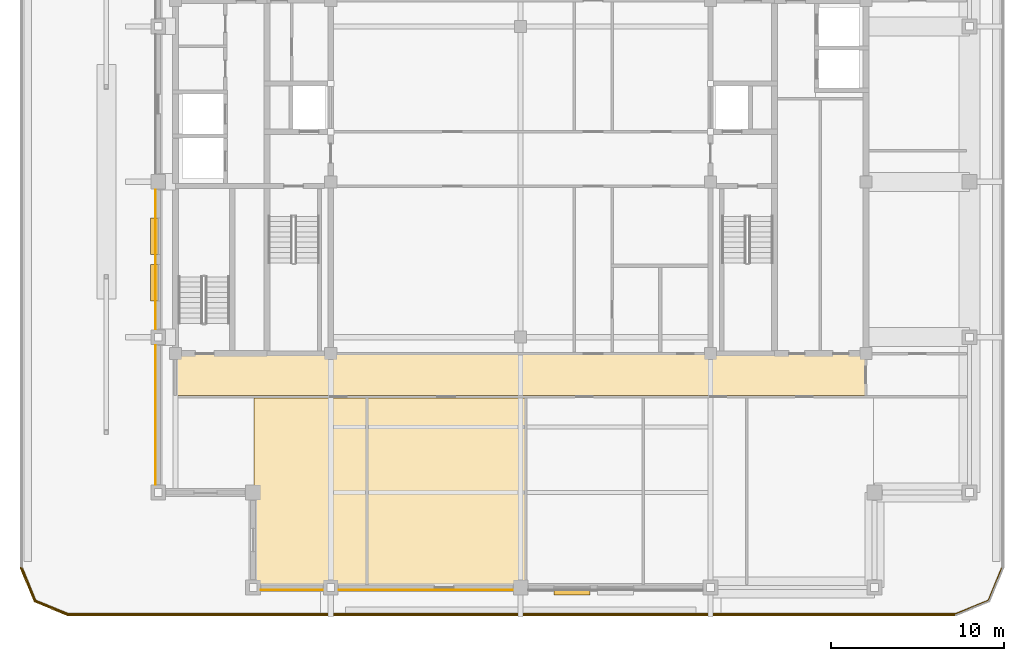
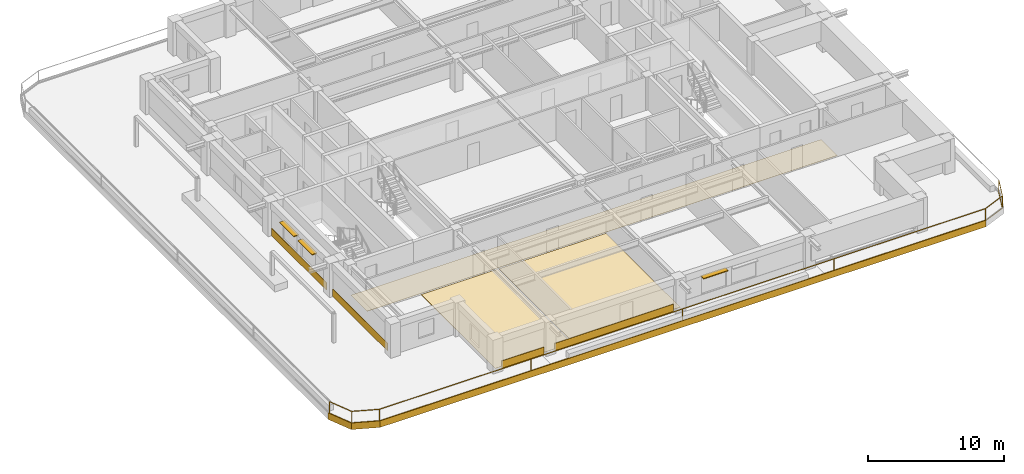
# One storey, part 10 of 14: 10 coverings, 3 shading devices, 1 railing.
"""IFC4 building model written with IfcOpenShell, lengths in metres."""

import ifcopenshell
import ifcopenshell.guid

model = None  # the IFC model being written
_history = None  # IfcOwnerHistory: only IFC2X3 demands one
_inside = {}  # id of a spatial element -> (the spatial element, [elements in it])
_under = {}  # id of a project, library or spatial element -> (it, [spatial elements below it])
_declared = {}  # id of a project -> (the project, [libraries it declares])
_typed = {}  # id of a type object -> (the type object, [elements of that type])
_made_of = {}  # id of a material, layer set ... -> (it, [elements and type objects made of it])


def new_model(schema):
    """Start an empty IFC model of exactly this schema.

    Asked for "IFC4X3", IfcOpenShell would pick the latest addendum, in which some entities
    have other attributes; the version numbers below select the first issue.
    IFC2X3 requires an IfcOwnerHistory on every rooted entity: one is made here for all.
    """
    global model, _history
    if schema == "IFC4X3":
        model = ifcopenshell.file(schema_version=(4, 3, 0, 0))
    else:
        model = ifcopenshell.file(schema=schema)
    _inside.clear()
    _under.clear()
    _declared.clear()
    _typed.clear()
    _made_of.clear()
    _history = None
    if model.schema == "IFC2X3":
        org = make("IfcOrganization", Name="unknown")
        user = make(
            "IfcPersonAndOrganization",
            ThePerson=make("IfcPerson", FamilyName="unknown"),
            TheOrganization=org,
        )
        app = make(
            "IfcApplication",
            ApplicationDeveloper=org,
            Version="unknown",
            ApplicationFullName="unknown",
            ApplicationIdentifier="unknown",
        )
        _history = make(
            "IfcOwnerHistory",
            OwningUser=user,
            OwningApplication=app,
            ChangeAction="ADDED",
            CreationDate=0,
        )
    return model


def make(cls, **values):
    """One entity of the class cls with the attributes given. An attribute that is None is left unset."""
    return model.create_entity(
        cls, **{name: value for name, value in values.items() if value is not None}
    )


def rooted(cls, **values):
    """An entity with a GlobalId (a new one), such as an element, a storey or a relation."""
    return make(cls, GlobalId=ifcopenshell.guid.new(), OwnerHistory=_history, **values)


def si_unit(unit_type, name, prefix=None):
    """IfcSIUnit, for example si_unit("LENGTHUNIT", "METRE", prefix="MILLI")."""
    return make("IfcSIUnit", UnitType=unit_type, Prefix=prefix, Name=name)


def assignment(units):
    """IfcUnitAssignment: the units of a project."""
    return None if units is None else make("IfcUnitAssignment", Units=units)


def point(xyz):
    """IfcCartesianPoint."""
    return None if xyz is None else make("IfcCartesianPoint", Coordinates=xyz)


def direction(xyz):
    """IfcDirection."""
    return None if xyz is None else make("IfcDirection", DirectionRatios=xyz)


def frame(location, z_axis=None, x_axis=None):
    """IfcAxis2Placement3D, a coordinate frame: its origin and axes. An axis left out is left unset."""
    return make(
        "IfcAxis2Placement3D",
        Location=point(location),
        Axis=direction(z_axis),
        RefDirection=direction(x_axis),
    )


def frame_2d(location, x_axis=None):
    """IfcAxis2Placement2D, a coordinate frame in the plane: its origin and x axis."""
    return make(
        "IfcAxis2Placement2D", Location=point(location), RefDirection=direction(x_axis)
    )


def origin():
    """The frame at (0, 0, 0) with its axes left unset."""
    return frame((0.0, 0.0, 0.0))


def origin_2d():
    """The frame at (0, 0) in the plane with its x axis left unset."""
    return frame_2d((0.0, 0.0))


def place(relative_to, where):
    """IfcLocalPlacement: puts the frame where relative to a parent placement (None: the world)."""
    return make(
        "IfcLocalPlacement", PlacementRelTo=relative_to, RelativePlacement=where
    )


def context(
    kind, dimensions, precision=None, world=None, true_north=None, identifier=None
):
    """IfcGeometricRepresentationContext, for example the 3D "Model" context."""
    return make(
        "IfcGeometricRepresentationContext",
        ContextIdentifier=identifier,
        ContextType=kind,
        CoordinateSpaceDimension=dimensions,
        Precision=precision,
        WorldCoordinateSystem=world,
        TrueNorth=true_north,
    )


def subcontext(parent, identifier, kind, view, scale=None):
    """IfcGeometricRepresentationSubContext, for example "Body" below "Model"."""
    return make(
        "IfcGeometricRepresentationSubContext",
        ContextIdentifier=identifier,
        ContextType=kind,
        ParentContext=parent,
        TargetScale=scale,
        TargetView=view,
    )


def project(units=None, contexts=None):
    """IfcProject with its units and contexts."""
    return rooted(
        "IfcProject",
        Name="project",
        RepresentationContexts=contexts,
        UnitsInContext=assignment(units),
    )


def spatial(cls, under=None, at=None, **own):
    """A site, building, storey or space (cls), placed at a placement, below another one or the project."""
    s = rooted(cls, ObjectPlacement=at, **own)
    if under is not None:
        _under.setdefault(under.id(), (under, []))[1].append(s)
    return s


def polyline(points):
    """IfcPolyline through the points."""
    return make("IfcPolyline", Points=[point(p) for p in points])


def profile(cls, at=None, kind="AREA", **sizes):
    """A parametric profile (cls). Its sizes go by their IFC names, for example OverallWidth=200.0."""
    return make(cls, ProfileType=kind, Position=at, **sizes)


def rectangle(**sizes):
    """IfcRectangleProfileDef."""
    return profile("IfcRectangleProfileDef", **sizes)


def outline(outer, holes=None, kind="AREA"):
    """IfcArbitraryClosedProfileDef: a profile drawn as a closed curve; with holes, ...WithVoids."""
    if holes is None:
        return make("IfcArbitraryClosedProfileDef", ProfileType=kind, OuterCurve=outer)
    return make(
        "IfcArbitraryProfileDefWithVoids",
        ProfileType=kind,
        OuterCurve=outer,
        InnerCurves=holes,
    )


def extrude(swept, where, along, depth):
    """IfcExtrudedAreaSolid: the profile swept, set in the frame where, extruded along a direction by depth."""
    return make(
        "IfcExtrudedAreaSolid",
        SweptArea=swept,
        Position=where,
        ExtrudedDirection=direction(along),
        Depth=depth,
    )


def shape(context_of_items, identifier, shape_type, items):
    """IfcShapeRepresentation: the items that make up one representation, for example the "Body"."""
    return make(
        "IfcShapeRepresentation",
        ContextOfItems=context_of_items,
        RepresentationIdentifier=identifier,
        RepresentationType=shape_type,
        Items=items,
    )


def material(Name=None, Category=None):
    """IfcMaterial."""
    return make("IfcMaterial", Name=Name, Category=Category)


def layer(
    of_material, thickness, ventilated=None, Name=None, Category=None, Priority=None
):
    """IfcMaterialLayer: one layer of a wall or slab, of a material (None: an air gap)."""
    return make(
        "IfcMaterialLayer",
        Material=of_material,
        LayerThickness=thickness,
        IsVentilated=ventilated,
        Name=Name,
        Category=Category,
        Priority=Priority,
    )


def layer_set(layers, Name=None):
    """IfcMaterialLayerSet."""
    return make("IfcMaterialLayerSet", MaterialLayers=layers, LayerSetName=Name)


def made_of(thing, what):
    """Note that an element or type object is made of a material, layer set ...; save() writes the relation."""
    if what is not None:
        _made_of.setdefault(what.id(), (what, []))[1].append(thing)
    return thing


def type_object(cls, material=None, **own):
    """A type object (cls), such as IfcWallType, which elements share."""
    return made_of(rooted(cls, **own), material)


def element(
    cls,
    number,
    at=None,
    inside=None,
    cuts=None,
    type_object=None,
    material=None,
    context=None,
    identifier="Body",
    shape_type=None,
    held_by="IfcProductDefinitionShape",
    body=None,
    shapes=None,
    **own,
):
    """One element of the class cls, such as IfcWall. Its Tag is "e" and its number.

    at: its placement. inside: the storey or other place that contains it. cuts: it is an
    opening in that element (IfcRelVoidsElement). A single representation is given by context,
    identifier, shape_type and body (its items); several are given by shapes. held_by: the class
    of the entity that holds the representations. save() writes the other relations.
    """
    e = rooted(cls, Tag="e%d" % number, ObjectPlacement=at, **own)
    if body is not None:
        shapes = [shape(context, identifier, shape_type, body)]
    if shapes is not None:
        e.Representation = make(held_by, Representations=shapes)
    if inside is not None:
        _inside.setdefault(inside.id(), (inside, []))[1].append(e)
    if cuts is not None:
        rooted(
            "IfcRelVoidsElement", RelatingBuildingElement=cuts, RelatedOpeningElement=e
        )
    if type_object is not None:
        _typed.setdefault(type_object.id(), (type_object, []))[1].append(e)
    return made_of(e, material)


def aggregate(whole, parts):
    """IfcRelAggregates: a whole, such as a stair, and the parts it consists of."""
    return rooted("IfcRelAggregates", RelatingObject=whole, RelatedObjects=parts)


def save(model, path):
    """Write the relations noted so far, then the file.

    IfcRelAggregates (storeys below a building ...), IfcRelContainedInSpatialStructure (elements
    in a storey), IfcRelDefinesByType, IfcRelAssociatesMaterial and IfcRelDeclares: one each for
    every whole, place, type object, material and project.
    """
    for whole, parts in _under.values():
        aggregate(whole, parts)
    for where, things in _inside.values():
        rooted(
            "IfcRelContainedInSpatialStructure",
            RelatedElements=things,
            RelatingStructure=where,
        )
    for kind, things in _typed.values():
        rooted("IfcRelDefinesByType", RelatedObjects=things, RelatingType=kind)
    for what, things in _made_of.values():
        rooted("IfcRelAssociatesMaterial", RelatedObjects=things, RelatingMaterial=what)
    for by, libraries in _declared.values():
        rooted("IfcRelDeclares", RelatingContext=by, RelatedDefinitions=libraries)
    model.write(path)


model = new_model("IFC4")

# Units and contexts
model_context = context("Model", 3, precision=1e-05, world=origin(), true_north=direction((0.0, 1.0)))
body_context = subcontext(model_context, "Body", "Model", "MODEL_VIEW")
ifc_project = project(units=[si_unit("LENGTHUNIT", "METRE"), si_unit("AREAUNIT", "SQUARE_METRE"), si_unit("VOLUMEUNIT", "CUBIC_METRE"), si_unit("PLANEANGLEUNIT", "RADIAN"), si_unit("MASSUNIT", "GRAM", prefix="KILO")], contexts=[model_context])

# Site, building, storey
site_placement = place(None, origin())
site = spatial("IfcSite", under=ifc_project, at=site_placement, CompositionType="ELEMENT")
building_placement = place(site_placement, origin())
building = spatial("IfcBuilding", under=site, at=building_placement, Name="Zulmaris Gate Convention Tower", CompositionType="ELEMENT")
storey_placement = place(building_placement, frame((0.0, 0.0, 226.820068359375)))
storey = spatial("IfcBuildingStorey", under=building, at=storey_placement, Name="L59", CompositionType="ELEMENT", Elevation=226.820068359375)

# Coverings
ifc_material_1 = material(Name="Precast concrete C40/50", Category="concrete")
ifc_layer_1 = layer(ifc_material_1, 0.0400390625, Name="Precast concrete C40/50")
ifc_layer_set_1 = layer_set([ifc_layer_1], Name="Precast concrete C40/50")
covering_type_1 = type_object("IfcCoveringType", Name="CLAD-SPANDREL-PRECAST", PredefinedType="CLADDING", material=ifc_layer_set_1)
covering_1_placement = place(storey_placement, frame((-15.044921875, -23.64990234375, 0.0), z_axis=(0.0, 0.0, 1.0), x_axis=(1.0, 0.0, 0.0)))
element("IfcCovering", 1, at=covering_1_placement, inside=storey, type_object=covering_type_1, Name="CLD-L59-S-0_0", PredefinedType="CLADDING", context=body_context, shape_type="SweptSolid", body=[
    extrude(rectangle(XDim=3.58984375, YDim=0.0400390625, at=frame_2d((1.794921875, 0.0))), origin(), (0.0, 0.0, 1.0), 0.679931640625),
])
covering_2_placement = place(storey_placement, frame((-10.544921875, -23.64990234375, 0.0), z_axis=(0.0, 0.0, 1.0), x_axis=(1.0, 0.0, 0.0)))
element("IfcCovering", 2, at=covering_2_placement, inside=storey, type_object=covering_type_1, Name="CLD-L59-S-1_0", PredefinedType="CLADDING", context=body_context, shape_type="SweptSolid", body=[
    extrude(rectangle(XDim=10.08984375, YDim=0.0400390625, at=frame_2d((5.044921875, 0.0))), origin(), (0.0, 0.0, 1.0), 0.679931640625),
])
for number, where, z_axis, x_axis, name in (
    (3, (-21.14990234375, -9.455078125, 0.0), (0.0, 0.0, 1.0), (0.0, -1.0, 0.0), "CLD-L59-W-0_0"),
    (4, (-21.14990234375, -0.455078125, 0.0), (0.0, 0.0, 1.0), (0.0, -1.0, 0.0), "CLD-L59-W-1_0"),
):
    element("IfcCovering", number, at=place(storey_placement, frame(where, z_axis=z_axis, x_axis=x_axis)), inside=storey, type_object=covering_type_1, Name=name, PredefinedType="CLADDING", context=body_context, shape_type="SweptSolid", body=[
        extrude(rectangle(XDim=8.08984375, YDim=0.0400390625, at=frame_2d((4.044921875, 0.0))), origin(), (0.0, 0.0, 1.0), 0.679931640625),
    ])
ifc_material_2 = material(Name="White Glazed Architectural Precast Concrete C40/50", Category="concrete")
ifc_layer_2 = layer(ifc_material_2, 0.080078125, Name="White Glazed Architectural Precast Concrete C40/50")
ifc_layer_set_2 = layer_set([ifc_layer_2], Name="White Glazed Architectural Precast Concrete C40/50")
covering_type_2 = type_object("IfcCoveringType", Name="CLAD-TRAY-FASCIA", PredefinedType="CLADDING", material=ifc_layer_set_2)
covering_3_placement = place(storey_placement, frame((-28.962890625, -22.334716796875, -0.465087890625), z_axis=(0.0, 0.0, 1.0), x_axis=(0.382656984709, -0.923890487046, 0.0)))
element("IfcCovering", 5, at=covering_3_placement, inside=storey, type_object=covering_type_2, Name="FSC-L59-TR-00", PredefinedType="CLADDING", context=body_context, shape_type="SweptSolid", body=[
    extrude(rectangle(XDim=2.14306640625, YDim=0.080078125, at=frame_2d((1.071533203125, 0.0))), origin(), (0.0, 0.0, 1.0), 0.585205078125),
])
covering_4_placement = place(storey_placement, frame((-28.16455078125, -24.29296875, -0.465087890625), z_axis=(0.0, 0.0, 1.0), x_axis=(0.923873803533, -0.382697263049, 0.0)))
element("IfcCovering", 6, at=covering_4_placement, inside=storey, type_object=covering_type_2, Name="FSC-L59-TR-01", PredefinedType="CLADDING", context=body_context, shape_type="SweptSolid", body=[
    extrude(rectangle(XDim=2.142822265625, YDim=0.080078125, at=frame_2d((1.0712890625, 0.0))), origin(), (0.0, 0.0, 1.0), 0.585205078125),
])
covering_5_placement = place(storey_placement, frame((-26.199951171875, -25.110107421875, -0.465087890625), z_axis=(0.0, 0.0, 1.0), x_axis=(1.0, 0.0, 0.0)))
element("IfcCovering", 7, at=covering_5_placement, inside=storey, type_object=covering_type_2, Name="FSC-L59-TR-02", PredefinedType="CLADDING", context=body_context, shape_type="SweptSolid", body=[
    extrude(rectangle(XDim=51.39990234375, YDim=0.080078125, at=frame_2d((25.699951171875, 0.0))), origin(), (0.0, 0.0, 1.0), 0.585205078125),
])
ifc_material_3 = material(Name="Woven Acoustic Wool Carpet Tile")
ifc_layer_3 = layer(ifc_material_3, 0.02001953125, Name="Woven Acoustic Wool Carpet Tile")
ifc_layer_set_3 = layer_set([ifc_layer_3], Name="Woven Acoustic Wool Carpet Tile")
covering_type_3 = type_object("IfcCoveringType", Name="FLR-CARPET-12", PredefinedType="FLOORING", material=ifc_layer_set_3)
covering_6_placement = place(storey_placement, origin())
element("IfcCovering", 8, at=covering_6_placement, inside=storey, type_object=covering_type_3, Name="FLR-L59-R30", PredefinedType="FLOORING", context=body_context, shape_type="SweptSolid", body=[
    extrude(outline(polyline([(-19.93994140625, -12.389892578125), (19.93994140625, -12.389892578125), (19.93994140625, -10.010009765625), (-19.93994140625, -10.010009765625), (-19.93994140625, -12.389892578125)])), origin(), (0.0, 0.0, 1.0), 0.02001953125),
])
covering_7_placement = place(storey_placement, origin())
element("IfcCovering", 9, at=covering_7_placement, inside=storey, type_object=covering_type_3, Name="FLR-L59-R39", PredefinedType="FLOORING", context=body_context, shape_type="SweptSolid", body=[
    extrude(outline(polyline([(-15.43994140625, -23.43994140625), (-8.9599609375, -23.43994140625), (-8.9599609375, -12.510009765625), (-15.43994140625, -12.510009765625), (-15.43994140625, -23.43994140625)])), origin(), (0.0, 0.0, 1.0), 0.02001953125),
])
covering_8_placement = place(storey_placement, origin())
element("IfcCovering", 10, at=covering_8_placement, inside=storey, type_object=covering_type_3, Name="FLR-L59-R40", PredefinedType="FLOORING", context=body_context, shape_type="SweptSolid", body=[
    extrude(outline(polyline([(-8.840087890625, -23.43994140625), (0.239990234375, -23.43994140625), (0.239990234375, -12.510009765625), (-8.840087890625, -12.510009765625), (-8.840087890625, -23.43994140625)])), origin(), (0.0, 0.0, 1.0), 0.02001953125),
])

# Railing
ifc_material_4 = material(Name="Laminated Glass and Stainless Steel", Category="steel")
railing_type = type_object("IfcRailingType", Name="RL-BALC-1150", PredefinedType="BALUSTRADE", material=ifc_material_4)
railing_placement = place(storey_placement, frame((-28.8798828125, -22.35009765625, -0.0400390625)))
element("IfcRailing", 11, at=railing_placement, inside=storey, type_object=railing_type, Name="RL-L59-BALC-S", PredefinedType="BALUSTRADE", context=body_context, shape_type="SweptSolid", body=[
    extrude(rectangle(XDim=0.048095703125, YDim=0.048095703125, at=origin_2d()), frame((0.0, 0.0, 1.1259765625), z_axis=(0.382670664694, -0.92388482095, 0.0), x_axis=(0.92388482095, 0.382670664694, 0.0)), (0.0, 0.0, 1.0), 2.051025390625),
    extrude(rectangle(XDim=0.048095703125, YDim=0.048095703125, at=origin_2d()), frame((0.0, 0.0, 0.02392578125), z_axis=(0.382670664694, -0.92388482095, 0.0), x_axis=(0.92388482095, 0.382670664694, 0.0)), (0.0, 0.0, 1.0), 2.051025390625),
    extrude(rectangle(XDim=0.048095703125, YDim=0.048095703125, at=origin_2d()), frame((0.784912109375, -1.89501953125, 1.1259765625), z_axis=(0.92388482095, -0.382670664694, 0.0), x_axis=(0.382670664694, 0.92388482095, 0.0)), (0.0, 0.0, 1.0), 2.051025390625),
    extrude(rectangle(XDim=0.048095703125, YDim=0.048095703125, at=origin_2d()), frame((0.784912109375, -1.89501953125, 0.02392578125), z_axis=(0.92388482095, -0.382670664694, 0.0), x_axis=(0.382670664694, 0.92388482095, 0.0)), (0.0, 0.0, 1.0), 2.051025390625),
    extrude(rectangle(XDim=0.048095703125, YDim=0.048095703125, at=origin_2d()), frame((2.679931640625, -2.679931640625, 1.1259765625), z_axis=(1.0, 0.0, 0.0), x_axis=(0.0, 1.0, 0.0)), (0.0, 0.0, 1.0), 51.39990234375),
    extrude(rectangle(XDim=0.048095703125, YDim=0.048095703125, at=origin_2d()), frame((2.679931640625, -2.679931640625, 0.02392578125), z_axis=(1.0, 0.0, 0.0), x_axis=(0.0, 1.0, 0.0)), (0.0, 0.0, 1.0), 51.39990234375),
    extrude(rectangle(XDim=0.048095703125, YDim=0.048095703125, at=origin_2d()), frame((54.079833984375, -2.679931640625, 1.1259765625), z_axis=(0.92388482095, 0.382670664694, 0.0), x_axis=(-0.382670664694, 0.92388482095, 0.0)), (0.0, 0.0, 1.0), 2.051025390625),
    extrude(rectangle(XDim=0.048095703125, YDim=0.048095703125, at=origin_2d()), frame((54.079833984375, -2.679931640625, 0.02392578125), z_axis=(0.92388482095, 0.382670664694, 0.0), x_axis=(-0.382670664694, 0.92388482095, 0.0)), (0.0, 0.0, 1.0), 2.051025390625),
    extrude(rectangle(XDim=0.048095703125, YDim=0.048095703125, at=origin_2d()), frame((55.974853515625, -1.89501953125, 1.1259765625), z_axis=(0.382670664694, 0.92388482095, 0.0), x_axis=(-0.92388482095, 0.382670664694, 0.0)), (0.0, 0.0, 1.0), 2.051025390625),
    extrude(rectangle(XDim=0.048095703125, YDim=0.048095703125, at=origin_2d()), frame((55.974853515625, -1.89501953125, 0.02392578125), z_axis=(0.382670664694, 0.92388482095, 0.0), x_axis=(-0.92388482095, 0.382670664694, 0.0)), (0.0, 0.0, 1.0), 2.051025390625),
    extrude(rectangle(XDim=0.0419921875, YDim=0.0419921875, at=origin_2d()), origin(), (0.0, 0.0, 1.0), 1.101806640625),
    extrude(rectangle(XDim=0.0419921875, YDim=0.0419921875, at=origin_2d()), frame((0.784912109375, -1.89501953125, 0.0)), (0.0, 0.0, 1.0), 1.101806640625),
    extrude(rectangle(XDim=0.0419921875, YDim=0.0419921875, at=origin_2d()), frame((2.679931640625, -2.679931640625, 0.0)), (0.0, 0.0, 1.0), 1.101806640625),
    extrude(rectangle(XDim=0.0419921875, YDim=0.0419921875, at=origin_2d()), frame((15.52978515625, -2.679931640625, 0.0)), (0.0, 0.0, 1.0), 1.101806640625),
    extrude(rectangle(XDim=0.0419921875, YDim=0.0419921875, at=origin_2d()), frame((28.3798828125, -2.679931640625, 0.0)), (0.0, 0.0, 1.0), 1.101806640625),
    extrude(rectangle(XDim=0.0419921875, YDim=0.0419921875, at=origin_2d()), frame((41.22998046875, -2.679931640625, 0.0)), (0.0, 0.0, 1.0), 1.101806640625),
    extrude(rectangle(XDim=0.0419921875, YDim=0.0419921875, at=origin_2d()), frame((54.079833984375, -2.679931640625, 0.0)), (0.0, 0.0, 1.0), 1.101806640625),
    extrude(rectangle(XDim=0.0419921875, YDim=0.0419921875, at=origin_2d()), frame((55.974853515625, -1.89501953125, 0.0)), (0.0, 0.0, 1.0), 1.101806640625),
    extrude(rectangle(XDim=0.0419921875, YDim=0.0419921875, at=origin_2d()), frame((56.759765625, 0.0, 0.0)), (0.0, 0.0, 1.0), 1.101806640625),
])

# Shading devices
ifc_material_5 = material(Name="Glazed Ceramic Terracotta", Category="masonry")
ifc_layer_4 = layer(ifc_material_5, 0.070068359375, Name="Glazed Ceramic Terracotta")
ifc_layer_set_4 = layer_set([ifc_layer_4], Name="Glazed Ceramic Terracotta")
shading_device_type = type_object("IfcShadingDeviceType", Name="SHD-SUNSHADE-TC", PredefinedType="AWNING", material=ifc_layer_set_4)
shading_device_placement = place(storey_placement, frame((1.927001953125, -23.719970703125, 2.22998046875), z_axis=(0.0, 0.0, 1.0), x_axis=(1.0, 0.0, 0.0)))
element("IfcShadingDevice", 12, at=shading_device_placement, inside=storey, type_object=shading_device_type, Name="SHD-EW-L59-S-2_0-1", PredefinedType="AWNING", context=body_context, shape_type="SweptSolid", body=[
    extrude(rectangle(XDim=2.10009765625, YDim=0.43994140625, at=frame_2d((1.050048828125, 0.0))), origin(), (0.0, 0.0, 1.0), 0.070068359375),
])
for number, where, z_axis, x_axis, name in (
    (13, (-21.219970703125, -2.10205078125, 2.22998046875), (0.0, 0.0, 1.0), (0.0, -1.0, 0.0), "SHD-EW-L59-W-1_0-1"),
    (14, (-21.219970703125, -4.798095703125, 2.22998046875), (0.0, 0.0, 1.0), (0.0, -1.0, 0.0), "SHD-EW-L59-W-1_0-2"),
):
    element("IfcShadingDevice", number, at=place(storey_placement, frame(where, z_axis=z_axis, x_axis=x_axis)), inside=storey, type_object=shading_device_type, Name=name, PredefinedType="AWNING", context=body_context, shape_type="SweptSolid", body=[
        extrude(rectangle(XDim=2.099853515625, YDim=0.43994140625, at=frame_2d((1.0498046875, 0.0))), origin(), (0.0, 0.0, 1.0), 0.070068359375),
    ])

save(model, "model.ifc")
